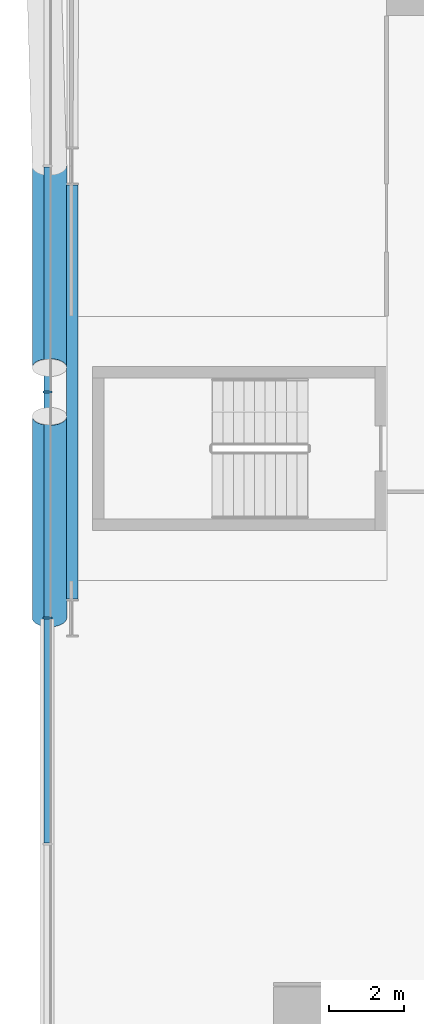
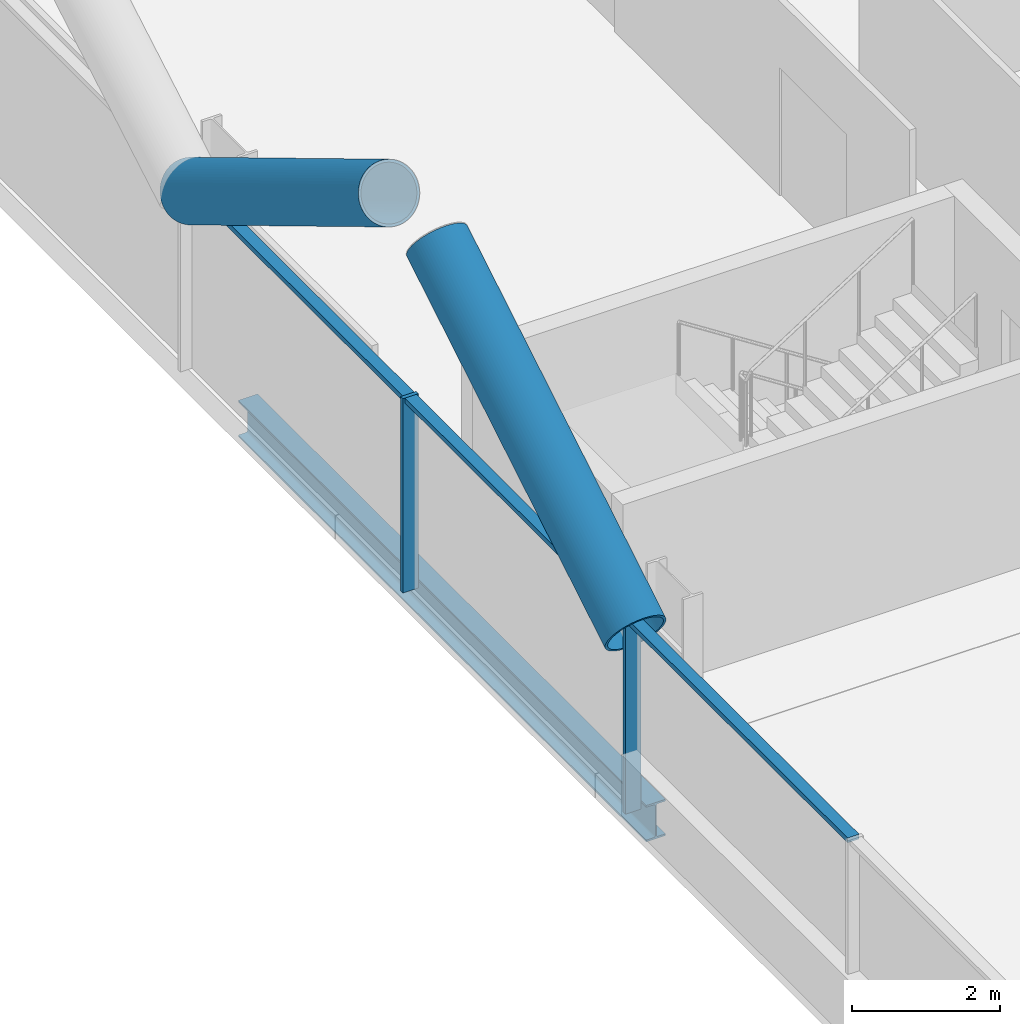
# One storey, part 5 of 27: 7 members, 1 beam, 1 element without a shape of its own.
"""IFC4 building model written with IfcOpenShell, lengths in metres."""

from ifc_helpers import new_model, si_unit, direction, frame, origin, origin_2d, place, context, subcontext, project, spatial, rectangle, hollow_circle, i_section, extrude, material, material_profile, profile_set, type_object, element, aggregate, save


model = new_model("IFC4")

# Units and contexts
model_context = context("Model", 3, precision=1e-05, world=origin(), true_north=direction((0.0, 1.0)))
body_context = subcontext(model_context, "Body", "Model", "MODEL_VIEW")
ifc_project = project(units=[si_unit("LENGTHUNIT", "METRE"), si_unit("AREAUNIT", "SQUARE_METRE"), si_unit("VOLUMEUNIT", "CUBIC_METRE"), si_unit("PLANEANGLEUNIT", "RADIAN"), si_unit("MASSUNIT", "GRAM", prefix="KILO")], contexts=[model_context])

# Site, building, storey
site_placement = place(None, origin())
site = spatial("IfcSite", under=ifc_project, at=site_placement, CompositionType="ELEMENT")
building_placement = place(site_placement, origin())
building = spatial("IfcBuilding", under=site, at=building_placement, Name="Wharfspan Tower", CompositionType="ELEMENT")
storey_placement = place(building_placement, frame((0.0, 0.0, 81.100098)))
storey = spatial("IfcBuildingStorey", under=building, at=storey_placement, Name="L17", CompositionType="ELEMENT", Elevation=81.100098)

# Beam
ifc_material_1 = material(Name="Steel S355J2", Category="steel")
ifc_material_profile_1 = material_profile(ifc_material_1, i_section(OverallWidth=0.300049, OverallDepth=0.600098, WebThickness=0.015381, FlangeThickness=0.030029, FilletRadius=0.0271, at=origin_2d()))
ifc_profile_set_1 = profile_set([ifc_material_profile_1], Name="Steel S355J2")
beam_type = type_object("IfcBeamType", Name="Edge beam HEB 600", PredefinedType="SPANDREL", material=ifc_profile_set_1)
beam_placement = place(storey_placement, frame((0.659912, 29.5, -0.700195), z_axis=(0.0, -1.0, 0.0), x_axis=(1.0, 0.0, 0.0)))
element("IfcBeam", 1, at=beam_placement, inside=storey, type_object=beam_type, Name="Edge beam W L17 PW.1 to PW.2", PredefinedType="SPANDREL", context=body_context, shape_type="SweptSolid", body=[
    extrude(i_section(OverallWidth=0.300049, OverallDepth=0.600098, WebThickness=0.015381, FlangeThickness=0.030029, FilletRadius=0.0271, at=origin_2d()), origin(), (0.0, 0.0, 1.0), 11.0),
])

# Curtain wall, members
ifc_material_2 = material(Name="Aluminium 6063-T6", Category="aluminium")
curtain_wall_type = type_object("IfcCurtainWallType", Name="CURTAIN WALL PROW AND END", PredefinedType="NOTDEFINED", material=ifc_material_2)
curtain_wall_placement = place(storey_placement, origin())
curtain_wall = element("IfcCurtainWall", 2, at=curtain_wall_placement, inside=storey, type_object=curtain_wall_type, Name="Curtain wall W", PredefinedType="NOTDEFINED")
ifc_material_profile_2 = material_profile(ifc_material_2, rectangle(XDim=0.23999, YDim=0.060059, at=origin_2d()))
ifc_profile_set_2 = profile_set([ifc_material_profile_2], Name="Aluminium 6063-T6")
member_type_1 = type_object("IfcMemberType", Name="MULLION PROW AND END 60x240", PredefinedType="MULLION", material=ifc_profile_set_2)
member_1_placement = place(storey_placement, frame((0.0, 24.0, 0.0), z_axis=(0.0, 0.0, 1.0), x_axis=(1.0, 0.0, 0.0)))
member_1 = element("IfcMember", 3, at=member_1_placement, type_object=member_type_1, Name="Curtain wall W mullion 4", PredefinedType="MULLION", context=body_context, shape_type="SweptSolid", body=[
    extrude(rectangle(XDim=0.23999, YDim=0.060059, at=origin_2d()), origin(), (0.0, 0.0, 1.0), 3.199951),
])
member_2_placement = place(storey_placement, frame((0.0, 18.0, 0.0), z_axis=(0.0, 0.0, 1.0), x_axis=(1.0, 0.0, 0.0)))
member_2 = element("IfcMember", 4, at=member_2_placement, type_object=member_type_1, Name="Curtain wall W mullion 5", PredefinedType="MULLION", context=body_context, shape_type="SweptSolid", body=[
    extrude(rectangle(XDim=0.23999, YDim=0.060059, at=origin_2d()), origin(), (0.0, 0.0, 1.0), 3.199951),
])

# Members
ifc_material_3 = material(Name="Steel S460NH", Category="steel")
ifc_material_profile_3 = material_profile(ifc_material_3, hollow_circle(Radius=0.457031, WallThickness=0.040039, at=origin_2d()))
ifc_profile_set_3 = profile_set([ifc_material_profile_3], Name="Steel S460NH")
member_type_2 = type_object("IfcMemberType", Name="Mega brace CHS 914x40", PredefinedType="BRACE", material=ifc_profile_set_3)
for number, where, z_axis, x_axis, name in (
    (5, (0.054932, 30.0, 2.899902), (0.0, -0.857483, 0.514513), (1.0, 0.0, 0.0), "Mega brace W3 L18 part 1"),
    (6, (0.054932, 18.0, 2.899902), (0.0, 0.857483, 0.514513), (-1.0, 0.0, 0.0), "Mega brace W3 L18 part 3"),
):
    element("IfcMember", number, at=place(storey_placement, frame(where, z_axis=z_axis, x_axis=x_axis)), inside=storey, type_object=member_type_2, Name=name, PredefinedType="BRACE", context=body_context, shape_type="SweptSolid", body=[
        extrude(hollow_circle(Radius=0.457031, WallThickness=0.040039, at=origin_2d()), origin(), (0.0, 0.0, 1.0), 6.239258),
    ])

# Member
ifc_material_profile_4 = material_profile(ifc_material_2, rectangle(XDim=0.179932, YDim=0.080078, at=origin_2d()))
ifc_profile_set_4 = profile_set([ifc_material_profile_4], Name="Aluminium 6063-T6")
member_type_3 = type_object("IfcMemberType", Name="TRANSOM PROW AND END 80x180", PredefinedType="USERDEFINED", material=ifc_profile_set_4)
member_3_placement = place(storey_placement, frame((0.0, 29.969971, 3.159912), z_axis=(0.0, -1.0, 0.0), x_axis=(1.0, 0.0, 0.0)))
member_3 = element("IfcMember", 7, at=member_3_placement, type_object=member_type_3, Name="Curtain wall W transom 3", ObjectType="TRANSOM", PredefinedType="USERDEFINED", context=body_context, shape_type="SweptSolid", body=[
    extrude(rectangle(XDim=0.179932, YDim=0.080078, at=origin_2d()), origin(), (0.0, 0.0, 1.0), 5.939941),
])

member_4_placement = place(storey_placement, frame((0.0, 23.969971, 3.159912), z_axis=(0.0, -1.0, 0.0), x_axis=(1.0, 0.0, 0.0)))
member_4 = element("IfcMember", 8, at=member_4_placement, type_object=member_type_3, Name="Curtain wall W transom 4", ObjectType="TRANSOM", PredefinedType="USERDEFINED", context=body_context, shape_type="SweptSolid", body=[
    extrude(rectangle(XDim=0.179932, YDim=0.080078, at=origin_2d()), origin(), (0.0, 0.0, 1.0), 5.939941),
])

member_5_placement = place(storey_placement, frame((0.0, 17.969971, 3.159912), z_axis=(0.0, -1.0, 0.0), x_axis=(1.0, 0.0, 0.0)))
member_5 = element("IfcMember", 9, at=member_5_placement, type_object=member_type_3, Name="Curtain wall W transom 5", ObjectType="TRANSOM", PredefinedType="USERDEFINED", context=body_context, shape_type="SweptSolid", body=[
    extrude(rectangle(XDim=0.179932, YDim=0.080078, at=origin_2d()), origin(), (0.0, 0.0, 1.0), 5.939941),
])

aggregate(curtain_wall, [member_1, member_2, member_3, member_4, member_5])

save(model, "model.ifc")
